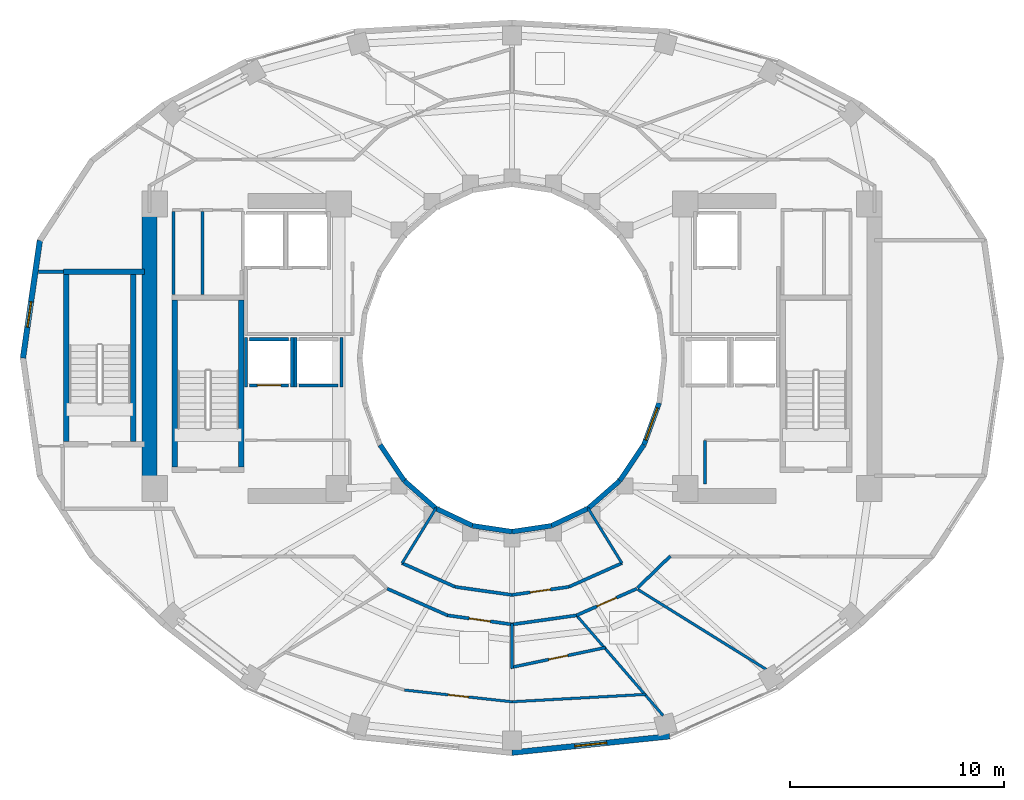
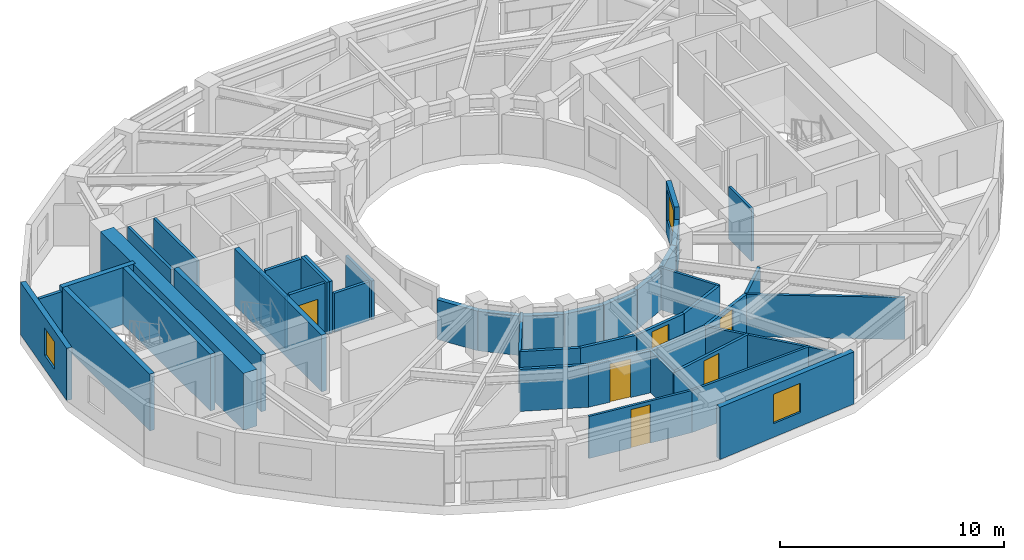
# One storey, part 11 of 17: 45 walls, 6 doors, 3 windows, 9 openings.
"""IFC4 building model written with IfcOpenShell, lengths in metres."""

import ifcopenshell
import ifcopenshell.guid

model = None  # the IFC model being written
_history = None  # IfcOwnerHistory: only IFC2X3 demands one
_inside = {}  # id of a spatial element -> (the spatial element, [elements in it])
_under = {}  # id of a project, library or spatial element -> (it, [spatial elements below it])
_declared = {}  # id of a project -> (the project, [libraries it declares])
_typed = {}  # id of a type object -> (the type object, [elements of that type])
_made_of = {}  # id of a material, layer set ... -> (it, [elements and type objects made of it])


def new_model(schema):
    """Start an empty IFC model of exactly this schema.

    Asked for "IFC4X3", IfcOpenShell would pick the latest addendum, in which some entities
    have other attributes; the version numbers below select the first issue.
    IFC2X3 requires an IfcOwnerHistory on every rooted entity: one is made here for all.
    """
    global model, _history
    if schema == "IFC4X3":
        model = ifcopenshell.file(schema_version=(4, 3, 0, 0))
    else:
        model = ifcopenshell.file(schema=schema)
    _inside.clear()
    _under.clear()
    _declared.clear()
    _typed.clear()
    _made_of.clear()
    _history = None
    if model.schema == "IFC2X3":
        org = make("IfcOrganization", Name="unknown")
        user = make(
            "IfcPersonAndOrganization",
            ThePerson=make("IfcPerson", FamilyName="unknown"),
            TheOrganization=org,
        )
        app = make(
            "IfcApplication",
            ApplicationDeveloper=org,
            Version="unknown",
            ApplicationFullName="unknown",
            ApplicationIdentifier="unknown",
        )
        _history = make(
            "IfcOwnerHistory",
            OwningUser=user,
            OwningApplication=app,
            ChangeAction="ADDED",
            CreationDate=0,
        )
    return model


def make(cls, **values):
    """One entity of the class cls with the attributes given. An attribute that is None is left unset."""
    return model.create_entity(
        cls, **{name: value for name, value in values.items() if value is not None}
    )


def rooted(cls, **values):
    """An entity with a GlobalId (a new one), such as an element, a storey or a relation."""
    return make(cls, GlobalId=ifcopenshell.guid.new(), OwnerHistory=_history, **values)


def si_unit(unit_type, name, prefix=None):
    """IfcSIUnit, for example si_unit("LENGTHUNIT", "METRE", prefix="MILLI")."""
    return make("IfcSIUnit", UnitType=unit_type, Prefix=prefix, Name=name)


def assignment(units):
    """IfcUnitAssignment: the units of a project."""
    return None if units is None else make("IfcUnitAssignment", Units=units)


def point(xyz):
    """IfcCartesianPoint."""
    return None if xyz is None else make("IfcCartesianPoint", Coordinates=xyz)


def direction(xyz):
    """IfcDirection."""
    return None if xyz is None else make("IfcDirection", DirectionRatios=xyz)


def frame(location, z_axis=None, x_axis=None):
    """IfcAxis2Placement3D, a coordinate frame: its origin and axes. An axis left out is left unset."""
    return make(
        "IfcAxis2Placement3D",
        Location=point(location),
        Axis=direction(z_axis),
        RefDirection=direction(x_axis),
    )


def frame_2d(location, x_axis=None):
    """IfcAxis2Placement2D, a coordinate frame in the plane: its origin and x axis."""
    return make(
        "IfcAxis2Placement2D", Location=point(location), RefDirection=direction(x_axis)
    )


def origin():
    """The frame at (0, 0, 0) with its axes left unset."""
    return frame((0.0, 0.0, 0.0))


def place(relative_to, where):
    """IfcLocalPlacement: puts the frame where relative to a parent placement (None: the world)."""
    return make(
        "IfcLocalPlacement", PlacementRelTo=relative_to, RelativePlacement=where
    )


def context(
    kind, dimensions, precision=None, world=None, true_north=None, identifier=None
):
    """IfcGeometricRepresentationContext, for example the 3D "Model" context."""
    return make(
        "IfcGeometricRepresentationContext",
        ContextIdentifier=identifier,
        ContextType=kind,
        CoordinateSpaceDimension=dimensions,
        Precision=precision,
        WorldCoordinateSystem=world,
        TrueNorth=true_north,
    )


def subcontext(parent, identifier, kind, view, scale=None):
    """IfcGeometricRepresentationSubContext, for example "Body" below "Model"."""
    return make(
        "IfcGeometricRepresentationSubContext",
        ContextIdentifier=identifier,
        ContextType=kind,
        ParentContext=parent,
        TargetScale=scale,
        TargetView=view,
    )


def project(units=None, contexts=None):
    """IfcProject with its units and contexts."""
    return rooted(
        "IfcProject",
        Name="project",
        RepresentationContexts=contexts,
        UnitsInContext=assignment(units),
    )


def spatial(cls, under=None, at=None, **own):
    """A site, building, storey or space (cls), placed at a placement, below another one or the project."""
    s = rooted(cls, ObjectPlacement=at, **own)
    if under is not None:
        _under.setdefault(under.id(), (under, []))[1].append(s)
    return s


def profile(cls, at=None, kind="AREA", **sizes):
    """A parametric profile (cls). Its sizes go by their IFC names, for example OverallWidth=200.0."""
    return make(cls, ProfileType=kind, Position=at, **sizes)


def rectangle(**sizes):
    """IfcRectangleProfileDef."""
    return profile("IfcRectangleProfileDef", **sizes)


def extrude(swept, where, along, depth):
    """IfcExtrudedAreaSolid: the profile swept, set in the frame where, extruded along a direction by depth."""
    return make(
        "IfcExtrudedAreaSolid",
        SweptArea=swept,
        Position=where,
        ExtrudedDirection=direction(along),
        Depth=depth,
    )


def shape(context_of_items, identifier, shape_type, items):
    """IfcShapeRepresentation: the items that make up one representation, for example the "Body"."""
    return make(
        "IfcShapeRepresentation",
        ContextOfItems=context_of_items,
        RepresentationIdentifier=identifier,
        RepresentationType=shape_type,
        Items=items,
    )


def material(Name=None, Category=None):
    """IfcMaterial."""
    return make("IfcMaterial", Name=Name, Category=Category)


def layer(
    of_material, thickness, ventilated=None, Name=None, Category=None, Priority=None
):
    """IfcMaterialLayer: one layer of a wall or slab, of a material (None: an air gap)."""
    return make(
        "IfcMaterialLayer",
        Material=of_material,
        LayerThickness=thickness,
        IsVentilated=ventilated,
        Name=Name,
        Category=Category,
        Priority=Priority,
    )


def layer_set(layers, Name=None):
    """IfcMaterialLayerSet."""
    return make("IfcMaterialLayerSet", MaterialLayers=layers, LayerSetName=Name)


def made_of(thing, what):
    """Note that an element or type object is made of a material, layer set ...; save() writes the relation."""
    if what is not None:
        _made_of.setdefault(what.id(), (what, []))[1].append(thing)
    return thing


def type_object(cls, material=None, **own):
    """A type object (cls), such as IfcWallType, which elements share."""
    return made_of(rooted(cls, **own), material)


def element(
    cls,
    number,
    at=None,
    inside=None,
    cuts=None,
    type_object=None,
    material=None,
    context=None,
    identifier="Body",
    shape_type=None,
    held_by="IfcProductDefinitionShape",
    body=None,
    shapes=None,
    **own,
):
    """One element of the class cls, such as IfcWall. Its Tag is "e" and its number.

    at: its placement. inside: the storey or other place that contains it. cuts: it is an
    opening in that element (IfcRelVoidsElement). A single representation is given by context,
    identifier, shape_type and body (its items); several are given by shapes. held_by: the class
    of the entity that holds the representations. save() writes the other relations.
    """
    e = rooted(cls, Tag="e%d" % number, ObjectPlacement=at, **own)
    if body is not None:
        shapes = [shape(context, identifier, shape_type, body)]
    if shapes is not None:
        e.Representation = make(held_by, Representations=shapes)
    if inside is not None:
        _inside.setdefault(inside.id(), (inside, []))[1].append(e)
    if cuts is not None:
        rooted(
            "IfcRelVoidsElement", RelatingBuildingElement=cuts, RelatedOpeningElement=e
        )
    if type_object is not None:
        _typed.setdefault(type_object.id(), (type_object, []))[1].append(e)
    return made_of(e, material)


def fill(opening, filler):
    """IfcRelFillsElement: the door or window that sits in an opening."""
    return rooted(
        "IfcRelFillsElement",
        RelatingOpeningElement=opening,
        RelatedBuildingElement=filler,
    )


def aggregate(whole, parts):
    """IfcRelAggregates: a whole, such as a stair, and the parts it consists of."""
    return rooted("IfcRelAggregates", RelatingObject=whole, RelatedObjects=parts)


def save(model, path):
    """Write the relations noted so far, then the file.

    IfcRelAggregates (storeys below a building ...), IfcRelContainedInSpatialStructure (elements
    in a storey), IfcRelDefinesByType, IfcRelAssociatesMaterial and IfcRelDeclares: one each for
    every whole, place, type object, material and project.
    """
    for whole, parts in _under.values():
        aggregate(whole, parts)
    for where, things in _inside.values():
        rooted(
            "IfcRelContainedInSpatialStructure",
            RelatedElements=things,
            RelatingStructure=where,
        )
    for kind, things in _typed.values():
        rooted("IfcRelDefinesByType", RelatedObjects=things, RelatingType=kind)
    for what, things in _made_of.values():
        rooted("IfcRelAssociatesMaterial", RelatedObjects=things, RelatingMaterial=what)
    for by, libraries in _declared.values():
        rooted("IfcRelDeclares", RelatingContext=by, RelatedDefinitions=libraries)
    model.write(path)


model = new_model("IFC4")

# Units and contexts
model_context = context("Model", 3, precision=1e-05, world=origin(), true_north=direction((0.0, 1.0)))
body_context = subcontext(model_context, "Body", "Model", "MODEL_VIEW")
ifc_project = project(units=[si_unit("LENGTHUNIT", "METRE"), si_unit("AREAUNIT", "SQUARE_METRE"), si_unit("VOLUMEUNIT", "CUBIC_METRE"), si_unit("PLANEANGLEUNIT", "RADIAN"), si_unit("MASSUNIT", "GRAM", prefix="KILO")], contexts=[model_context])

# Site, building, storey
site_placement = place(None, origin())
site = spatial("IfcSite", under=ifc_project, at=site_placement, CompositionType="ELEMENT")
building_placement = place(site_placement, origin())
building = spatial("IfcBuilding", under=site, at=building_placement, Name="Solvane Sanctuary Tower", CompositionType="ELEMENT")
storey_placement = place(building_placement, frame((0.0, 0.0, 171.5)))
storey = spatial("IfcBuildingStorey", under=building, at=storey_placement, Name="L52", CompositionType="ELEMENT", Elevation=171.5)

# Walls
ifc_material_1 = material(Name="Concrete C60/75", Category="concrete")
ifc_layer_1 = layer(ifc_material_1, 0.699951171875, Name="Concrete C60/75")
ifc_layer_set_1 = layer_set([ifc_layer_1], Name="Concrete C60/75")
wall_type_1 = type_object("IfcWallType", Name="Wall W-CORE-700", PredefinedType="SHEAR", material=ifc_layer_set_1)
wall_1_placement = place(storey_placement, frame((15.050048828125, 17.050048828125, 0.0), z_axis=(0.0, 0.0, 1.0), x_axis=(0.0, 1.0, 0.0)))
element("IfcWall", 1, at=wall_1_placement, inside=storey, type_object=wall_type_1, Name="L52 Core Shear Wall WC-W", PredefinedType="SHEAR", context=body_context, shape_type="SweptSolid", body=[
    extrude(rectangle(XDim=12.800048828125, YDim=0.699951171875, at=frame_2d((6.39990234375, 0.0))), origin(), (0.0, 0.0, 1.0), 3.10009765625),
])
ifc_material_2 = material(Name="Acoustic Gypsum Partition Board")
ifc_layer_2 = layer(ifc_material_2, 0.14990234375, Name="Acoustic Gypsum Partition Board")
ifc_layer_set_2 = layer_set([ifc_layer_2], Name="Acoustic Gypsum Partition Board")
wall_type_2 = type_object("IfcWallType", Name="Wall W-CORR-150", PredefinedType="PARTITIONING", material=ifc_layer_set_2)
wall_2_placement = place(storey_placement, frame((9.869873046875, 27.030029296875, 0.0), z_axis=(0.0, 0.0, 1.0), x_axis=(1.0, 0.0, 0.0)))
element("IfcWall", 2, at=wall_2_placement, inside=storey, type_object=wall_type_2, Name="L52 NW Corner Closer 1", PredefinedType="PARTITIONING", context=body_context, shape_type="SweptSolid", body=[
    extrude(rectangle(XDim=1.170166015625, YDim=0.14990234375, at=frame_2d((0.5849609375, 0.0))), origin(), (0.0, 0.0, 1.0), 2.85498046875),
])
wall_3_placement = place(storey_placement, frame((37.867431640625, 12.251220703125, 0.0), z_axis=(0.0, 0.0, 1.0), x_axis=(0.717419568599, 0.696641344302, 0.0)))
element("IfcWall", 3, at=wall_3_placement, inside=storey, type_object=wall_type_2, Name="L52 SE Corner Throat Wall", PredefinedType="PARTITIONING", context=body_context, shape_type="SweptSolid", body=[
    extrude(rectangle(XDim=2.138427734375, YDim=0.14990234375, at=frame_2d((1.0693359375, 0.0))), origin(), (0.0, 0.0, 1.0), 2.299072265625),
])
wall_4_placement = place(storey_placement, frame((26.855712890625, 13.411865234375, 0.0), z_axis=(0.0, 0.0, 1.0), x_axis=(0.912985265053, -0.407992531545, 0.0)))
element("IfcWall", 4, at=wall_4_placement, inside=storey, type_object=wall_type_2, Name="L52 Inner Light-Well Corridor Wall S1", PredefinedType="PARTITIONING", context=body_context, shape_type="SweptSolid", body=[
    extrude(rectangle(XDim=2.723388671875, YDim=0.14990234375, at=frame_2d((1.36181640625, 0.0))), origin(), (0.0, 0.0, 1.0), 2.299072265625),
])
wall_5_placement = place(storey_placement, frame((29.338623046875, 12.302001953125, 0.0), z_axis=(0.0, 0.0, 1.0), x_axis=(0.990079774468, -0.140506370634, 0.0)))
element("IfcWall", 5, at=wall_5_placement, inside=storey, type_object=wall_type_2, Name="L52 Inner Light-Well Corridor Wall S1", PredefinedType="PARTITIONING", context=body_context, shape_type="SweptSolid", body=[
    extrude(rectangle(XDim=2.689697265625, YDim=0.14990234375, at=frame_2d((1.3447265625, 0.0))), origin(), (0.0, 0.0, 1.0), 2.299072265625),
])

# Wall, opening, door
wall_6_placement = place(storey_placement, frame((31.998291015625, 11.924072265625, 0.0), z_axis=(0.0, 0.0, 1.0), x_axis=(0.990079774468, 0.140506370634, 0.0)))
wall_6 = element("IfcWall", 6, at=wall_6_placement, inside=storey, type_object=wall_type_2, Name="L52 Inner Light-Well Corridor Wall S1", PredefinedType="PARTITIONING", context=body_context, shape_type="SweptSolid", body=[
    extrude(rectangle(XDim=2.689697265625, YDim=0.14990234375, at=frame_2d((1.3447265625, 0.0))), origin(), (0.0, 0.0, 1.0), 2.299072265625),
])
opening_1_placement = place(wall_6_placement, frame((0.869873046875, 0.0, 0.0)))
opening_1 = element("IfcOpeningElement", 7, at=opening_1_placement, cuts=wall_6, Name="Opening D-L52-19", PredefinedType="OPENING", context=body_context, shape_type="SweptSolid", body=[
    extrude(rectangle(XDim=0.949951171875, YDim=2.10009765625, at=frame_2d((0.47509765625, 1.050048828125))), frame((0.0, 0.0849609375, 0.0), z_axis=(0.0, -1.0, 0.0), x_axis=(1.0, 0.0, 0.0)), (0.0, 0.0, 1.0), 0.169921875),
])
ifc_material_3 = material(Name="Engineered Tropical Hardwood", Category="wood")
door_type_1 = type_object("IfcDoorType", Name="Door D-ROOM-950", OperationType="NOTDEFINED", PredefinedType="DOOR", material=ifc_material_3)
door_1_placement = place(opening_1_placement, origin())
door_1 = element("IfcDoor", 8, at=door_1_placement, inside=storey, type_object=door_type_1, Name="L52 Inner Light-Well Salon Door S1", OperationType="SINGLE_SWING_LEFT", OverallHeight=2.10009765625, OverallWidth=0.949951171875, PredefinedType="DOOR", context=body_context, shape_type="SweptSolid", body=[
    extrude(rectangle(XDim=0.949951171875, YDim=2.10009765625, at=frame_2d((0.47509765625, 1.050048828125))), frame((0.0, 0.02490234375, 0.0), z_axis=(0.0, -1.0, 0.0), x_axis=(1.0, 0.0, 0.0)), (0.0, 0.0, 1.0), 0.050048828125),
])
fill(opening_1, door_1)

# Walls
wall_7_placement = place(storey_placement, frame((34.657958984375, 12.30078125, 0.0), z_axis=(0.0, 0.0, 1.0), x_axis=(0.912985265053, 0.407992531545, 0.0)))
element("IfcWall", 9, at=wall_7_placement, inside=storey, type_object=wall_type_2, Name="L52 Inner Light-Well Corridor Wall S1", PredefinedType="PARTITIONING", context=body_context, shape_type="SweptSolid", body=[
    extrude(rectangle(XDim=2.723388671875, YDim=0.14990234375, at=frame_2d((1.36181640625, 0.0))), origin(), (0.0, 0.0, 1.0), 2.299072265625),
])
wall_8_placement = place(storey_placement, frame((31.950439453125, 10.537109375, 0.0), z_axis=(0.0, 0.0, 1.0), x_axis=(0.990254405439, 0.139270285808, 0.0)))
element("IfcWall", 10, at=wall_8_placement, inside=storey, type_object=wall_type_2, Name="L52 En-suite Inner Wall S1", PredefinedType="PARTITIONING", context=body_context, shape_type="SweptSolid", body=[
    extrude(rectangle(XDim=3.146728515625, YDim=0.14990234375, at=frame_2d((1.5732421875, 0.0))), origin(), (0.0, 0.0, 1.0), 2.299072265625),
])
wall_9_placement = place(storey_placement, frame((26.1650390625, 12.217041015625, 0.0), z_axis=(0.0, 0.0, 1.0), x_axis=(0.91445214467, -0.404694051239, 0.0)))
element("IfcWall", 11, at=wall_9_placement, inside=storey, type_object=wall_type_2, Name="L52 Unit Corridor Wall S1", PredefinedType="PARTITIONING", context=body_context, shape_type="SweptSolid", body=[
    extrude(rectangle(XDim=3.090576171875, YDim=0.14990234375, at=frame_2d((1.54541015625, 0.0))), origin(), (0.0, 0.0, 1.0), 2.299072265625),
])

# Wall, opening, door
wall_10_placement = place(storey_placement, frame((28.975341796875, 10.970703125, 0.0), z_axis=(0.0, 0.0, 1.0), x_axis=(0.990243864279, -0.139345216129, 0.0)))
wall_10 = element("IfcWall", 12, at=wall_10_placement, inside=storey, type_object=wall_type_2, Name="L52 Unit Corridor Wall S1", PredefinedType="PARTITIONING", context=body_context, shape_type="SweptSolid", body=[
    extrude(rectangle(XDim=3.0625, YDim=0.14990234375, at=frame_2d((1.53125, 0.0))), origin(), (0.0, 0.0, 1.0), 2.299072265625),
])
opening_2_placement = place(wall_10_placement, frame((1.03125, 0.0, 0.0)))
opening_2 = element("IfcOpeningElement", 13, at=opening_2_placement, cuts=wall_10, Name="Opening D-L52-25", PredefinedType="OPENING", context=body_context, shape_type="SweptSolid", body=[
    extrude(rectangle(XDim=1.0, YDim=2.10009765625, at=frame_2d((0.5, 1.050048828125))), frame((0.0, 0.0849609375, 0.0), z_axis=(0.0, -1.0, 0.0), x_axis=(1.0, 0.0, 0.0)), (0.0, 0.0, 1.0), 0.169921875),
])
door_type_2 = type_object("IfcDoorType", Name="Door D-UNIT", OperationType="NOTDEFINED", PredefinedType="DOOR", material=ifc_material_3)
door_2_placement = place(opening_2_placement, origin())
door_2 = element("IfcDoor", 14, at=door_2_placement, inside=storey, type_object=door_type_2, Name="L52 Unit Entrance Door S1", OperationType="SINGLE_SWING_LEFT", OverallHeight=2.10009765625, OverallWidth=1.0, PredefinedType="DOOR", context=body_context, shape_type="SweptSolid", body=[
    extrude(rectangle(XDim=1.0, YDim=2.10009765625, at=frame_2d((0.5, 1.050048828125))), frame((0.0, 0.02490234375, 0.0), z_axis=(0.0, -1.0, 0.0), x_axis=(1.0, 0.0, 0.0)), (0.0, 0.0, 1.0), 0.050048828125),
])
fill(opening_2, door_2)

wall_11_placement = place(storey_placement, frame((35.0087890625, 10.96630859375, 0.0), z_axis=(0.0, 0.0, 1.0), x_axis=(0.91445214467, 0.404694051239, 0.0)))
wall_11 = element("IfcWall", 15, at=wall_11_placement, inside=storey, type_object=wall_type_2, Name="L52 Unit Corridor Wall S2", PredefinedType="PARTITIONING", context=body_context, shape_type="SweptSolid", body=[
    extrude(rectangle(XDim=3.090576171875, YDim=0.14990234375, at=frame_2d((1.54541015625, 0.0))), origin(), (0.0, 0.0, 1.0), 2.299072265625),
])
opening_3_placement = place(wall_11_placement, frame((1.04541015625, 0.0, 0.0)))
opening_3 = element("IfcOpeningElement", 16, at=opening_3_placement, cuts=wall_11, Name="Opening D-L52-26", PredefinedType="OPENING", context=body_context, shape_type="SweptSolid", body=[
    extrude(rectangle(XDim=1.0, YDim=2.10009765625, at=frame_2d((0.5, 1.050048828125))), frame((0.0, 0.0849609375, 0.0), z_axis=(0.0, -1.0, 0.0), x_axis=(1.0, 0.0, 0.0)), (0.0, 0.0, 1.0), 0.169921875),
])
door_3_placement = place(opening_3_placement, origin())
door_3 = element("IfcDoor", 17, at=door_3_placement, inside=storey, type_object=door_type_2, Name="L52 Unit Entrance Door S2", OperationType="SINGLE_SWING_RIGHT", OverallHeight=2.10009765625, OverallWidth=1.0, PredefinedType="DOOR", context=body_context, shape_type="SweptSolid", body=[
    extrude(rectangle(XDim=1.0, YDim=2.10009765625, at=frame_2d((0.5, 1.050048828125))), frame((0.0, 0.02490234375, 0.0), z_axis=(0.0, -1.0, 0.0), x_axis=(1.0, 0.0, 0.0)), (0.0, 0.0, 1.0), 0.050048828125),
])
fill(opening_3, door_3)

# Wall, opening, window
ifc_material_4 = material(Name="Precast concrete C40/50", Category="concrete")
ifc_layer_3 = layer(ifc_material_4, 0.260009765625, Name="Precast concrete C40/50")
ifc_layer_set_3 = layer_set([ifc_layer_3], Name="Precast concrete C40/50")
wall_type_3 = type_object("IfcWallType", Name="Wall W-EXT-250", PredefinedType="STANDARD", material=ifc_layer_set_3)
wall_12_placement = place(storey_placement, frame((9.9296875, 28.49658203125, 0.0), z_axis=(0.0, 0.0, 1.0), x_axis=(-0.142227632286, -0.989833976288, 0.0)))
wall_12 = element("IfcWall", 18, at=wall_12_placement, inside=storey, type_object=wall_type_3, Name="L52 Ceramic-Printed Facade Wall 11", PredefinedType="STANDARD", context=body_context, shape_type="SweptSolid", body=[
    extrude(rectangle(XDim=5.552978515625, YDim=0.260009765625, at=frame_2d((2.7763671875, 0.0))), origin(), (0.0, 0.0, 1.0), 2.85009765625),
])
opening_4_placement = place(wall_12_placement, frame((2.892333984375, 0.0, 0.75)))
opening_4 = element("IfcOpeningElement", 19, at=opening_4_placement, cuts=wall_12, Name="Opening WN-OPER-1200", PredefinedType="OPENING", context=body_context, shape_type="SweptSolid", body=[
    extrude(rectangle(XDim=1.199951171875, YDim=1.5, at=frame_2d((0.60009765625, 0.75))), frame((0.0, 0.139892578125, 0.0), z_axis=(0.0, -1.0, 0.0), x_axis=(1.0, 0.0, 0.0)), (0.0, 0.0, 1.0), 0.280029296875),
])
ifc_material_5 = material(Name="Dark Ceramic-Fritted Low-E Glass", Category="glass")
window_type_1 = type_object("IfcWindowType", Name="Window WN-OPER-1200", PartitioningType="SINGLE_PANEL", PredefinedType="WINDOW", material=ifc_material_5)
window_1_placement = place(opening_4_placement, origin())
window_1 = element("IfcWindow", 20, at=window_1_placement, inside=storey, type_object=window_type_1, Name="L52 Operable Facade Window 11", OverallHeight=1.5, OverallWidth=1.199951171875, PartitioningType="SINGLE_PANEL", PredefinedType="WINDOW", context=body_context, shape_type="SweptSolid", body=[
    extrude(rectangle(XDim=1.199951171875, YDim=1.5, at=frame_2d((0.60009765625, 0.75))), frame((0.0, 0.030029296875, 0.0), z_axis=(0.0, -1.0, 0.0), x_axis=(1.0, 0.0, 0.0)), (0.0, 0.0, 1.0), 0.06005859375),
])
fill(opening_4, window_1)

wall_13_placement = place(storey_placement, frame((32.0, 4.551513671875, 0.0), z_axis=(0.0, 0.0, 1.0), x_axis=(0.994664178965, 0.10316574569, 0.0)))
wall_13 = element("IfcWall", 21, at=wall_13_placement, inside=storey, type_object=wall_type_3, Name="L52 Ceramic-Printed Facade Wall 18", PredefinedType="STANDARD", context=body_context, shape_type="SweptSolid", body=[
    extrude(rectangle(XDim=7.40478515625, YDim=0.260009765625, at=frame_2d((3.702392578125, 0.0))), origin(), (0.0, 0.0, 1.0), 2.85009765625),
])
opening_5_placement = place(wall_13_placement, frame((2.952392578125, 0.0, 0.75)))
opening_5 = element("IfcOpeningElement", 22, at=opening_5_placement, cuts=wall_13, Name="Opening WN-OPER-1500", PredefinedType="OPENING", context=body_context, shape_type="SweptSolid", body=[
    extrude(rectangle(XDim=1.5, YDim=1.60009765625, at=frame_2d((0.75, 0.800048828125))), frame((0.0, 0.139892578125, 0.0), z_axis=(0.0, -1.0, 0.0), x_axis=(1.0, 0.0, 0.0)), (0.0, 0.0, 1.0), 0.280029296875),
])
window_type_2 = type_object("IfcWindowType", Name="Window WN-OPER-1500", PartitioningType="SINGLE_PANEL", PredefinedType="WINDOW", material=ifc_material_5)
window_2_placement = place(opening_5_placement, origin())
window_2 = element("IfcWindow", 23, at=window_2_placement, inside=storey, type_object=window_type_2, Name="L52 Operable Facade Window 18", OverallHeight=1.60009765625, OverallWidth=1.5, PartitioningType="SINGLE_PANEL", PredefinedType="WINDOW", context=body_context, shape_type="SweptSolid", body=[
    extrude(rectangle(XDim=1.5, YDim=1.60009765625, at=frame_2d((0.75, 0.800048828125))), frame((0.0, 0.030029296875, 0.0), z_axis=(0.0, -1.0, 0.0), x_axis=(1.0, 0.0, 0.0)), (0.0, 0.0, 1.0), 0.06005859375),
])
fill(opening_5, window_2)

# Walls
ifc_layer_4 = layer(ifc_material_4, 0.22998046875, Name="Precast concrete C40/50")
ifc_layer_set_4 = layer_set([ifc_layer_4], Name="Precast concrete C40/50")
wall_type_4 = type_object("IfcWallType", Name="Wall W-EXT-SP220", PredefinedType="STANDARD", material=ifc_layer_set_4)
wall_14_placement = place(storey_placement, frame((25.833984375, 18.93994140625, 0.0), z_axis=(0.0, 0.0, 1.0), x_axis=(0.558197800898, -0.829707909492, 0.0)))
element("IfcWall", 24, at=wall_14_placement, inside=storey, type_object=wall_type_4, Name="L52 Central Light-Well Wall 14", PredefinedType="STANDARD", context=body_context, shape_type="SweptSolid", body=[
    extrude(rectangle(XDim=2.02685546875, YDim=0.22998046875, at=frame_2d((1.013427734375, 0.0))), origin(), (0.0, 0.0, 1.0), 2.159912109375),
])
wall_15_placement = place(storey_placement, frame((26.96533203125, 17.25830078125, 0.0), z_axis=(0.0, 0.0, 1.0), x_axis=(0.752576694707, -0.658504607869, 0.0)))
element("IfcWall", 25, at=wall_15_placement, inside=storey, type_object=wall_type_4, Name="L52 Central Light-Well Wall 15", PredefinedType="STANDARD", context=body_context, shape_type="SweptSolid", body=[
    extrude(rectangle(XDim=1.95947265625, YDim=0.22998046875, at=frame_2d((0.979736328125, 0.0))), origin(), (0.0, 0.0, 1.0), 2.159912109375),
])
wall_16_placement = place(storey_placement, frame((28.43994140625, 15.968017578125, 0.0), z_axis=(0.0, 0.0, 1.0), x_axis=(0.904179699603, -0.427152280606, 0.0)))
element("IfcWall", 26, at=wall_16_placement, inside=storey, type_object=wall_type_4, Name="L52 Central Light-Well Wall 16", PredefinedType="STANDARD", context=body_context, shape_type="SweptSolid", body=[
    extrude(rectangle(XDim=1.899169921875, YDim=0.22998046875, at=frame_2d((0.94970703125, 0.0))), origin(), (0.0, 0.0, 1.0), 2.159912109375),
])
for number, where, z_axis, x_axis, name in (
    (27, (30.1572265625, 15.15673828125, 0.0), (0.0, 0.0, 1.0), (0.988901730308, -0.148571086668, 0.0), "L52 Central Light-Well Wall 17"),
    (28, (32.0, 14.8798828125, 0.0), (0.0, 0.0, 1.0), (0.988901730308, 0.148571086668, 0.0), "L52 Central Light-Well Wall 18"),
):
    element("IfcWall", number, at=place(storey_placement, frame(where, z_axis=z_axis, x_axis=x_axis)), inside=storey, type_object=wall_type_4, Name=name, PredefinedType="STANDARD", context=body_context, shape_type="SweptSolid", body=[
        extrude(rectangle(XDim=1.863525390625, YDim=0.22998046875, at=frame_2d((0.931640625, 0.0))), origin(), (0.0, 0.0, 1.0), 2.159912109375),
    ])
wall_17_placement = place(storey_placement, frame((33.8427734375, 15.15673828125, 0.0), z_axis=(0.0, 0.0, 1.0), x_axis=(0.904179699603, 0.427152280606, 0.0)))
element("IfcWall", 29, at=wall_17_placement, inside=storey, type_object=wall_type_4, Name="L52 Central Light-Well Wall 19", PredefinedType="STANDARD", context=body_context, shape_type="SweptSolid", body=[
    extrude(rectangle(XDim=1.899169921875, YDim=0.22998046875, at=frame_2d((0.94970703125, 0.0))), origin(), (0.0, 0.0, 1.0), 2.159912109375),
])
wall_18_placement = place(storey_placement, frame((35.56005859375, 15.968017578125, 0.0), z_axis=(0.0, 0.0, 1.0), x_axis=(0.752576694707, 0.658504607869, 0.0)))
element("IfcWall", 30, at=wall_18_placement, inside=storey, type_object=wall_type_4, Name="L52 Central Light-Well Wall 20", PredefinedType="STANDARD", context=body_context, shape_type="SweptSolid", body=[
    extrude(rectangle(XDim=1.95947265625, YDim=0.22998046875, at=frame_2d((0.979736328125, 0.0))), origin(), (0.0, 0.0, 1.0), 2.159912109375),
])
wall_19_placement = place(storey_placement, frame((37.03466796875, 17.25830078125, 0.0), z_axis=(0.0, 0.0, 1.0), x_axis=(0.558197800898, 0.829707909492, 0.0)))
element("IfcWall", 31, at=wall_19_placement, inside=storey, type_object=wall_type_4, Name="L52 Central Light-Well Wall 21", PredefinedType="STANDARD", context=body_context, shape_type="SweptSolid", body=[
    extrude(rectangle(XDim=2.02685546875, YDim=0.22998046875, at=frame_2d((1.013427734375, 0.0))), origin(), (0.0, 0.0, 1.0), 2.159912109375),
])

# Wall, opening, window
wall_20_placement = place(storey_placement, frame((38.166015625, 18.93994140625, 0.0), z_axis=(0.0, 0.0, 1.0), x_axis=(0.341423187295, 0.93990968033, 0.0)))
wall_20 = element("IfcWall", 32, at=wall_20_placement, inside=storey, type_object=wall_type_4, Name="L52 Central Light-Well Wall 22", PredefinedType="STANDARD", context=body_context, shape_type="SweptSolid", body=[
    extrude(rectangle(XDim=2.083740234375, YDim=0.22998046875, at=frame_2d((1.0419921875, 0.0))), origin(), (0.0, 0.0, 1.0), 2.840087890625),
])
opening_6_placement = place(wall_20_placement, frame((0.24169921875, 0.0, 0.85009765625)))
opening_6 = element("IfcOpeningElement", 33, at=opening_6_placement, cuts=wall_20, Name="Opening WN-WELL-1600", PredefinedType="OPENING", context=body_context, shape_type="SweptSolid", body=[
    extrude(rectangle(XDim=1.60009765625, YDim=1.64990234375, at=frame_2d((0.800048828125, 0.824951171875))), frame((0.0, 0.125, 0.0), z_axis=(0.0, -1.0, 0.0), x_axis=(1.0, 0.0, 0.0)), (0.0, 0.0, 1.0), 0.25),
])
ifc_material_6 = material(Name="Clear Laminated Light-Well Glass", Category="glass")
window_type_3 = type_object("IfcWindowType", Name="Window WN-WELL-1600", PartitioningType="SINGLE_PANEL", PredefinedType="WINDOW", material=ifc_material_6)
window_3_placement = place(opening_6_placement, origin())
window_3 = element("IfcWindow", 34, at=window_3_placement, inside=storey, type_object=window_type_3, Name="L52 Light-Well Daylight Window 22", OverallHeight=1.64990234375, OverallWidth=1.60009765625, PartitioningType="SINGLE_PANEL", PredefinedType="WINDOW", context=body_context, shape_type="SweptSolid", body=[
    extrude(rectangle(XDim=1.60009765625, YDim=1.64990234375, at=frame_2d((0.800048828125, 0.824951171875))), frame((0.0, 0.030029296875, 0.0), z_axis=(0.0, -1.0, 0.0), x_axis=(1.0, 0.0, 0.0)), (0.0, 0.0, 1.0), 0.06005859375),
])
fill(opening_6, window_3)

# Wall, opening, door
ifc_layer_5 = layer(ifc_material_2, 0.1201171875, Name="Acoustic Gypsum Partition Board")
ifc_layer_set_5 = layer_set([ifc_layer_5], Name="Acoustic Gypsum Partition Board")
wall_type_5 = type_object("IfcWallType", Name="Wall W-MOV-100", PredefinedType="MOVABLE", material=ifc_layer_set_5)
wall_21_placement = place(storey_placement, frame((26.978759765625, 7.478271484375, 0.0), z_axis=(0.0, 0.0, 1.0), x_axis=(0.994082114435, -0.108631255906, 0.0)))
wall_21 = element("IfcWall", 35, at=wall_21_placement, inside=storey, type_object=wall_type_5, Name="L52 Suite Sitting Lounge Partition S1", PredefinedType="MOVABLE", context=body_context, shape_type="SweptSolid", body=[
    extrude(rectangle(XDim=5.061279296875, YDim=0.1201171875, at=frame_2d((2.53076171875, 0.0))), origin(), (0.0, 0.0, 1.0), 2.299072265625),
])
opening_7_placement = place(wall_21_placement, frame((2.0556640625, 0.0, 0.0)))
opening_7 = element("IfcOpeningElement", 36, at=opening_7_placement, cuts=wall_21, Name="Opening D-L52-23", PredefinedType="OPENING", context=body_context, shape_type="SweptSolid", body=[
    extrude(rectangle(XDim=0.949951171875, YDim=2.10009765625, at=frame_2d((0.47509765625, 1.050048828125))), frame((0.0, 0.070068359375, 0.0), z_axis=(0.0, -1.0, 0.0), x_axis=(1.0, 0.0, 0.0)), (0.0, 0.0, 1.0), 0.14013671875),
])
door_4_placement = place(opening_7_placement, origin())
door_4 = element("IfcDoor", 37, at=door_4_placement, inside=storey, type_object=door_type_1, Name="L52 Suite Sitting Lounge Door S1", OperationType="SINGLE_SWING_LEFT", OverallHeight=2.10009765625, OverallWidth=0.949951171875, PredefinedType="DOOR", context=body_context, shape_type="SweptSolid", body=[
    extrude(rectangle(XDim=0.949951171875, YDim=2.10009765625, at=frame_2d((0.47509765625, 1.050048828125))), frame((0.0, 0.02490234375, 0.0), z_axis=(0.0, -1.0, 0.0), x_axis=(1.0, 0.0, 0.0)), (0.0, 0.0, 1.0), 0.050048828125),
])
fill(opening_7, door_4)

# Walls
wall_22_placement = place(storey_placement, frame((31.989990234375, 6.928955078125, 0.0), z_axis=(0.0, 0.0, 1.0), x_axis=(0.998481453555, 0.055088900038, 0.0)))
element("IfcWall", 38, at=wall_22_placement, inside=storey, type_object=wall_type_5, Name="L52 Suite Sitting Lounge Partition S1", PredefinedType="MOVABLE", context=body_context, shape_type="SweptSolid", body=[
    extrude(rectangle(XDim=6.27978515625, YDim=0.1201171875, at=frame_2d((3.139892578125, 0.0))), origin(), (0.0, 0.0, 1.0), 2.299072265625),
])
ifc_layer_6 = layer(ifc_material_2, 0.125, Name="Acoustic Gypsum Partition Board")
ifc_layer_set_6 = layer_set([ifc_layer_6], Name="Acoustic Gypsum Partition Board")
wall_type_6 = type_object("IfcWallType", Name="Wall W-PART-125", PredefinedType="PARTITIONING", material=ifc_layer_set_6)
wall_23_placement = place(storey_placement, frame((41.02001953125, 17.10009765625, 0.0), z_axis=(0.0, 0.0, 1.0), x_axis=(0.0, 1.0, 0.0)))
element("IfcWall", 39, at=wall_23_placement, inside=storey, type_object=wall_type_6, Name="L52 Reclaimed Room Closer Wall PLE-1", PredefinedType="PARTITIONING", context=body_context, shape_type="SweptSolid", body=[
    extrude(rectangle(XDim=2.039794921875, YDim=0.125, at=frame_2d((1.02001953125, 0.0))), origin(), (0.0, 0.0, 1.0), 2.85498046875),
])
for number, where, z_axis, x_axis, name in (
    (40, (28.449951171875, 15.985107421875, 0.0), (0.0, 0.0, 1.0), (-0.524565340045, -0.851370192116, 0.0), "L52 Inner Light-Well Radial Wall 240"),
    (41, (35.550048828125, 15.985107421875, 0.0), (0.0, 0.0, 1.0), (0.524565340045, -0.851370192116, 0.0), "L52 Inner Light-Well Radial Wall 300"),
):
    element("IfcWall", number, at=place(storey_placement, frame(where, z_axis=z_axis, x_axis=x_axis)), inside=storey, type_object=wall_type_6, Name=name, PredefinedType="PARTITIONING", context=body_context, shape_type="SweptSolid", body=[
        extrude(rectangle(XDim=3.027099609375, YDim=0.125, at=frame_2d((1.513671875, 0.0))), origin(), (0.0, 0.0, 1.0), 2.299072265625),
    ])
wall_24_placement = place(storey_placement, frame((35.052734375, 10.9267578125, 0.0), z_axis=(0.0, 0.0, 1.0), x_axis=(0.653779283332, -0.756685303601, 0.0)))
element("IfcWall", 42, at=wall_24_placement, inside=storey, type_object=wall_type_6, Name="L52 Radial Compartment Wall 285", PredefinedType="PARTITIONING", context=body_context, shape_type="SweptSolid", body=[
    extrude(rectangle(XDim=6.139892578125, YDim=0.125, at=frame_2d((3.06982421875, 0.0))), origin(), (0.0, 0.0, 1.0), 2.299072265625),
])
wall_25_placement = place(storey_placement, frame((37.874755859375, 12.18359375, 0.0), z_axis=(0.0, 0.0, 1.0), x_axis=(0.849008457073, -0.528379257559, 0.0)))
element("IfcWall", 43, at=wall_25_placement, inside=storey, type_object=wall_type_6, Name="L52 Radial Compartment Wall 300", PredefinedType="PARTITIONING", context=body_context, shape_type="SweptSolid", body=[
    extrude(rectangle(XDim=7.076904296875, YDim=0.125, at=frame_2d((3.53857421875, 0.0))), origin(), (0.0, 0.0, 1.0), 2.299072265625),
])

# Wall, opening, door
ifc_material_7 = material(Name="Concrete C50/60", Category="concrete")
ifc_layer_7 = layer(ifc_material_7, 0.14990234375, Name="Concrete C50/60")
ifc_layer_set_7 = layer_set([ifc_layer_7], Name="Concrete C50/60")
wall_type_7 = type_object("IfcWallType", Name="Wall W-SHAFT-150", PredefinedType="SOLIDWALL", material=ifc_layer_set_7)
wall_26_placement = place(storey_placement, frame((19.739990234375, 21.719970703125, 0.0), z_axis=(0.0, 0.0, 1.0), x_axis=(1.0, 0.0, 0.0)))
wall_26 = element("IfcWall", 44, at=wall_26_placement, inside=storey, type_object=wall_type_7, Name="L52 PM-1 Lift Shaft Wall F", PredefinedType="SOLIDWALL", context=body_context, shape_type="SweptSolid", body=[
    extrude(rectangle(XDim=1.820068359375, YDim=0.14990234375, at=frame_2d((0.91015625, 0.0))), origin(), (0.0, 0.0, 1.0), 2.85498046875),
])
opening_8_placement = place(wall_26_placement, frame((0.360107421875, 0.0, 0.0)))
opening_8 = element("IfcOpeningElement", 45, at=opening_8_placement, cuts=wall_26, Name="Opening LD-L52-01", PredefinedType="OPENING", context=body_context, shape_type="SweptSolid", body=[
    extrude(rectangle(XDim=1.10009765625, YDim=2.10009765625, at=frame_2d((0.550048828125, 1.050048828125))), frame((0.0, 0.0849609375, 0.0), z_axis=(0.0, -1.0, 0.0), x_axis=(1.0, 0.0, 0.0)), (0.0, 0.0, 1.0), 0.169921875),
])
ifc_material_8 = material(Name="Architectural Stainless Steel 316", Category="steel")
door_type_3 = type_object("IfcDoorType", Name="Door LD-PASS-1100", OperationType="NOTDEFINED", PredefinedType="DOOR", material=ifc_material_8)
door_5_placement = place(opening_8_placement, origin())
door_5 = element("IfcDoor", 46, at=door_5_placement, inside=storey, type_object=door_type_3, Name="L52 PM-1 Lift Landing Door", OperationType="DOUBLE_DOOR_SLIDING", OverallHeight=2.10009765625, OverallWidth=1.10009765625, PredefinedType="DOOR", context=body_context, shape_type="SweptSolid", body=[
    extrude(rectangle(XDim=1.10009765625, YDim=2.10009765625, at=frame_2d((0.550048828125, 1.050048828125))), frame((0.0, 0.02490234375, 0.0), z_axis=(0.0, -1.0, 0.0), x_axis=(1.0, 0.0, 0.0)), (0.0, 0.0, 1.0), 0.050048828125),
])
fill(opening_8, door_5)

# Walls
wall_27_placement = place(storey_placement, frame((19.739990234375, 23.8798828125, 0.0), z_axis=(0.0, 0.0, 1.0), x_axis=(1.0, 0.0, 0.0)))
element("IfcWall", 47, at=wall_27_placement, inside=storey, type_object=wall_type_7, Name="L52 PM-1 Lift Shaft Wall B", PredefinedType="SOLIDWALL", context=body_context, shape_type="SweptSolid", body=[
    extrude(rectangle(XDim=1.820068359375, YDim=0.14990234375, at=frame_2d((0.91015625, 0.0))), origin(), (0.0, 0.0, 1.0), 2.85498046875),
])
for number, where, z_axis, x_axis, name in (
    (48, (19.570068359375, 21.639892578125, 0.0), (0.0, 0.0, 1.0), (0.0, 1.0, 0.0), "L52 PM-1 Lift Shaft Wall S1"),
    (49, (21.72998046875, 21.639892578125, 0.0), (0.0, 0.0, 1.0), (0.0, 1.0, 0.0), "L52 PM-1 Lift Shaft Wall S2"),
):
    element("IfcWall", number, at=place(storey_placement, frame(where, z_axis=z_axis, x_axis=x_axis)), inside=storey, type_object=wall_type_7, Name=name, PredefinedType="SOLIDWALL", context=body_context, shape_type="SweptSolid", body=[
        extrude(rectangle(XDim=2.320068359375, YDim=0.14990234375, at=frame_2d((1.16015625, 0.0))), origin(), (0.0, 0.0, 1.0), 2.85498046875),
    ])
wall_28_placement = place(storey_placement, frame((22.0400390625, 21.719970703125, 0.0), z_axis=(0.0, 0.0, 1.0), x_axis=(1.0, 0.0, 0.0)))
element("IfcWall", 50, at=wall_28_placement, inside=storey, type_object=wall_type_7, Name="L52 PH-1 Lift Shaft Wall F", PredefinedType="SOLIDWALL", context=body_context, shape_type="SweptSolid", body=[
    extrude(rectangle(XDim=1.820068359375, YDim=0.14990234375, at=frame_2d((0.91015625, 0.0))), origin(), (0.0, 0.0, 1.0), 2.1201171875),
])
wall_29_placement = place(storey_placement, frame((21.8701171875, 21.639892578125, 0.0), z_axis=(0.0, 0.0, 1.0), x_axis=(0.0, 1.0, 0.0)))
element("IfcWall", 51, at=wall_29_placement, inside=storey, type_object=wall_type_7, Name="L52 PH-1 Lift Shaft Wall S1", PredefinedType="SOLIDWALL", context=body_context, shape_type="SweptSolid", body=[
    extrude(rectangle(XDim=2.320068359375, YDim=0.14990234375, at=frame_2d((1.16015625, 0.0))), origin(), (0.0, 0.0, 1.0), 2.85498046875),
])
wall_30_placement = place(storey_placement, frame((24.030029296875, 21.639892578125, 0.0), z_axis=(0.0, 0.0, 1.0), x_axis=(0.0, 1.0, 0.0)))
element("IfcWall", 52, at=wall_30_placement, inside=storey, type_object=wall_type_7, Name="L52 PH-1 Lift Shaft Wall S2", PredefinedType="SOLIDWALL", context=body_context, shape_type="SweptSolid", body=[
    extrude(rectangle(XDim=2.320068359375, YDim=0.14990234375, at=frame_2d((1.16015625, 0.0))), origin(), (0.0, 0.0, 1.0), 2.1201171875),
])
ifc_layer_8 = layer(ifc_material_7, 0.25, Name="Concrete C50/60")
ifc_layer_set_8 = layer_set([ifc_layer_8], Name="Concrete C50/60")
wall_type_8 = type_object("IfcWallType", Name="Wall W-SHAFT-250", PredefinedType="SOLIDWALL", material=ifc_layer_set_8)
for number, where, z_axis, x_axis, name in (
    (53, (16.22998046875, 17.89501953125, 0.0), (0.0, 0.0, 1.0), (0.0, 1.0, 0.0), "L52 ST-1 Load-Bearing Shaft Wall W"),
    (54, (19.35009765625, 17.89501953125, 0.0), (0.0, 0.0, 1.0), (0.0, 1.0, 0.0), "L52 ST-1 Load-Bearing Shaft Wall E"),
):
    element("IfcWall", number, at=place(storey_placement, frame(where, z_axis=z_axis, x_axis=x_axis)), inside=storey, type_object=wall_type_8, Name=name, PredefinedType="SOLIDWALL", context=body_context, shape_type="SweptSolid", body=[
        extrude(rectangle(XDim=7.81005859375, YDim=0.25, at=frame_2d((3.905029296875, 0.0))), origin(), (0.0, 0.0, 1.0), 3.10009765625),
    ])
wall_31_placement = place(storey_placement, frame((11.044921875, 27.030029296875, 0.0), z_axis=(0.0, 0.0, 1.0), x_axis=(1.0, 0.0, 0.0)))
element("IfcWall", 55, at=wall_31_placement, inside=storey, type_object=wall_type_8, Name="L52 ST-3 Load-Bearing Shaft Wall N", PredefinedType="SOLIDWALL", context=body_context, shape_type="SweptSolid", body=[
    extrude(rectangle(XDim=3.781982421875, YDim=0.25, at=frame_2d((1.89111328125, 0.0))), origin(), (0.0, 0.0, 1.0), 3.10009765625),
])
for number, where, z_axis, x_axis, name in (
    (56, (11.169921875, 19.094970703125, 0.0), (0.0, 0.0, 1.0), (0.0, 1.0, 0.0), "L52 ST-3 Load-Bearing Shaft Wall W"),
    (57, (14.2900390625, 19.094970703125, 0.0), (0.0, 0.0, 1.0), (0.0, 1.0, 0.0), "L52 ST-3 Load-Bearing Shaft Wall E"),
):
    element("IfcWall", number, at=place(storey_placement, frame(where, z_axis=z_axis, x_axis=x_axis)), inside=storey, type_object=wall_type_8, Name=name, PredefinedType="SOLIDWALL", context=body_context, shape_type="SweptSolid", body=[
        extrude(rectangle(XDim=7.81005859375, YDim=0.25, at=frame_2d((3.905029296875, 0.0))), origin(), (0.0, 0.0, 1.0), 3.10009765625),
    ])
ifc_layer_9 = layer(ifc_material_2, 0.139892578125, Name="Acoustic Gypsum Partition Board")
ifc_layer_set_9 = layer_set([ifc_layer_9], Name="Acoustic Gypsum Partition Board")
wall_type_9 = type_object("IfcWallType", Name="Wall W-WET-140", PredefinedType="PLUMBINGWALL", material=ifc_layer_set_9)
for number, where, z_axis, x_axis, name in (
    (58, (16.179931640625, 25.97998046875, 0.0), (0.0, 0.0, 1.0), (0.0, 1.0, 0.0), "L52 Core Service Side Wall KW1-1"),
    (59, (17.52001953125, 25.97998046875, 0.0), (0.0, 0.0, 1.0), (0.0, 1.0, 0.0), "L52 Core Service Side Wall KW1-2"),
):
    element("IfcWall", number, at=place(storey_placement, frame(where, z_axis=z_axis, x_axis=x_axis)), inside=storey, type_object=wall_type_9, Name=name, PredefinedType="PLUMBINGWALL", context=body_context, shape_type="SweptSolid", body=[
        extrude(rectangle(XDim=3.880126953125, YDim=0.139892578125, at=frame_2d((1.93994140625, 0.0))), origin(), (0.0, 0.0, 1.0), 2.85498046875),
    ])
wall_32_placement = place(storey_placement, frame((32.0, 10.593994140625, 0.0), z_axis=(0.0, 0.0, 1.0), x_axis=(0.0, -1.0, 0.0)))
element("IfcWall", 60, at=wall_32_placement, inside=storey, type_object=wall_type_9, Name="L52 En-suite Side Partition S1", PredefinedType="PLUMBINGWALL", context=body_context, shape_type="SweptSolid", body=[
    extrude(rectangle(XDim=2.10009765625, YDim=0.139892578125, at=frame_2d((1.050048828125, 0.0))), origin(), (0.0, 0.0, 1.0), 2.299072265625),
])

# Wall, opening, door
wall_33_placement = place(storey_placement, frame((31.951171875, 8.53369140625, 0.0), z_axis=(0.0, 0.0, 1.0), x_axis=(0.97851996891, 0.206152056609, 0.0)))
wall_33 = element("IfcWall", 61, at=wall_33_placement, inside=storey, type_object=wall_type_9, Name="L52 En-suite Bedroom Wall S1", PredefinedType="PLUMBINGWALL", context=body_context, shape_type="SweptSolid", body=[
    extrude(rectangle(XDim=4.519287109375, YDim=0.139892578125, at=frame_2d((2.259765625, 0.0))), origin(), (0.0, 0.0, 1.0), 2.299072265625),
])
opening_9_placement = place(wall_33_placement, frame((1.8095703125, 0.0, 0.0)))
opening_9 = element("IfcOpeningElement", 62, at=opening_9_placement, cuts=wall_33, Name="Opening D-L52-24", PredefinedType="OPENING", context=body_context, shape_type="SweptSolid", body=[
    extrude(rectangle(XDim=0.89990234375, YDim=2.10009765625, at=frame_2d((0.449951171875, 1.050048828125))), frame((0.0, 0.079833984375, 0.0), z_axis=(0.0, -1.0, 0.0), x_axis=(1.0, 0.0, 0.0)), (0.0, 0.0, 1.0), 0.159912109375),
])
door_type_4 = type_object("IfcDoorType", Name="Door D-WET-900", OperationType="NOTDEFINED", PredefinedType="DOOR", material=ifc_material_3)
door_6_placement = place(opening_9_placement, origin())
door_6 = element("IfcDoor", 63, at=door_6_placement, inside=storey, type_object=door_type_4, Name="L52 En-suite Bathroom Door S1", OperationType="SINGLE_SWING_RIGHT", OverallHeight=2.10009765625, OverallWidth=0.89990234375, PredefinedType="DOOR", context=body_context, shape_type="SweptSolid", body=[
    extrude(rectangle(XDim=0.89990234375, YDim=2.10009765625, at=frame_2d((0.449951171875, 1.050048828125))), frame((0.0, 0.02490234375, 0.0), z_axis=(0.0, -1.0, 0.0), x_axis=(1.0, 0.0, 0.0)), (0.0, 0.0, 1.0), 0.050048828125),
])
fill(opening_9, door_6)

save(model, "model.ifc")
